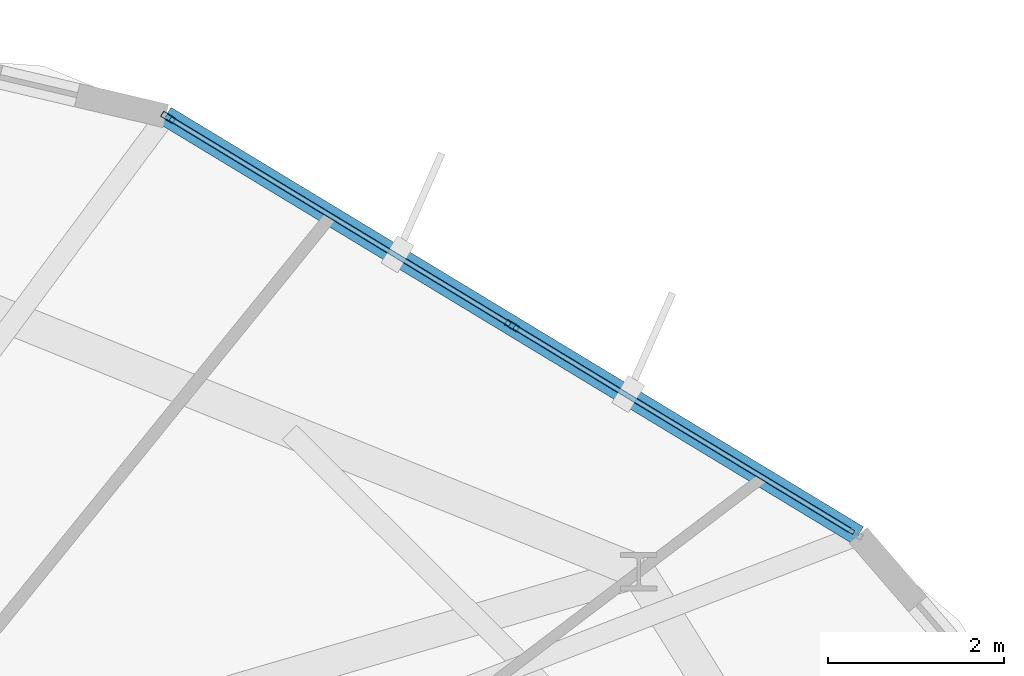
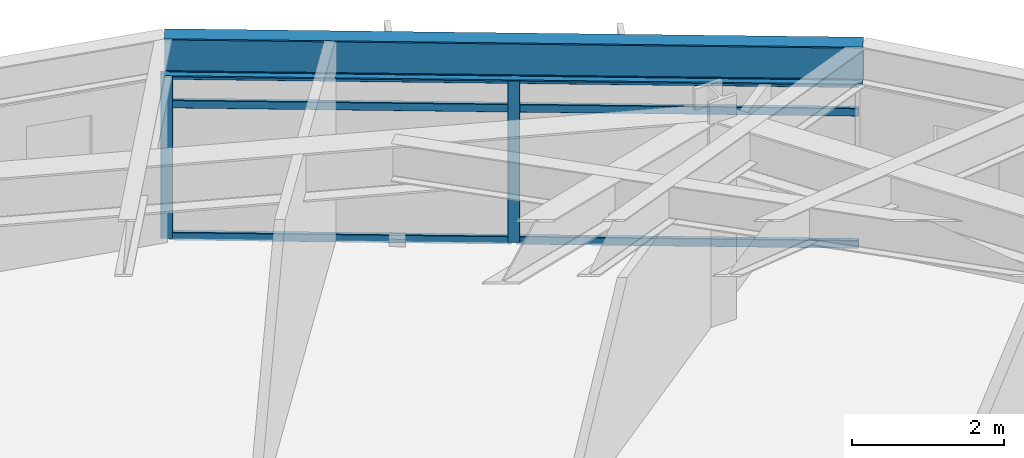
# One storey, part 18 of 27: 8 members, 1 beam, 1 element without a shape of its own.
"""IFC4 building model written with IfcOpenShell, lengths in metres."""

from ifc_helpers import new_model, si_unit, direction, frame, origin, origin_2d, place, context, subcontext, project, spatial, hollow_rectangle, i_section, extrude, material, layer, layer_set, material_profile, profile_set, type_object, element, aggregate, save


model = new_model("IFC4")

# Units and contexts
model_context = context("Model", 3, precision=1e-05, world=origin(), true_north=direction((0.0, 1.0)))
body_context = subcontext(model_context, "Body", "Model", "MODEL_VIEW")
ifc_project = project(units=[si_unit("LENGTHUNIT", "METRE"), si_unit("AREAUNIT", "SQUARE_METRE"), si_unit("VOLUMEUNIT", "CUBIC_METRE"), si_unit("PLANEANGLEUNIT", "RADIAN"), si_unit("MASSUNIT", "GRAM", prefix="KILO")], contexts=[model_context])

# Site, building, storey
site_placement = place(None, origin())
site = spatial("IfcSite", under=ifc_project, at=site_placement, CompositionType="ELEMENT")
building_placement = place(site_placement, origin())
building = spatial("IfcBuilding", under=site, at=building_placement, Name="Soratama Intermodal Tower", CompositionType="ELEMENT")
storey_placement = place(building_placement, frame((0.0, 0.0, 182.199951171875)))
storey = spatial("IfcBuildingStorey", under=building, at=storey_placement, Name="L45", CompositionType="ELEMENT", Elevation=182.199951171875)

# Beam
ifc_material_1 = material(Name="Structural steel ASTM A992 Grade 50", Category="steel")
ifc_material_profile_1 = material_profile(ifc_material_1, i_section(OverallWidth=0.22900390625, OverallDepth=0.612060546875, WebThickness=0.011962890625, FlangeThickness=0.01953125, FilletRadius=0.012939453125, at=origin_2d()), Name="W24X84")
ifc_profile_set_1 = profile_set([ifc_material_profile_1], Name="Structural steel ASTM A992 Grade 50")
beam_type = type_object("IfcBeamType", Name="BM-SPN-W24X84", PredefinedType="SPANDREL", material=ifc_profile_set_1)
beam_placement = place(storey_placement, frame((58.739990234375, 38.820068359375, 2.9541015625), z_axis=(-0.855340204558, 0.518066727812, 0.0), x_axis=(-0.518066727812, -0.855340204558, 0.0)))
element("IfcBeam", 1, at=beam_placement, inside=storey, type_object=beam_type, Name="BS-L45-F01", PredefinedType="SPANDREL", context=body_context, shape_type="SweptSolid", body=[
    extrude(i_section(OverallWidth=0.22900390625, OverallDepth=0.612060546875, WebThickness=0.011962890625, FlangeThickness=0.01953125, FilletRadius=0.012939453125, at=origin_2d()), origin(), (0.0, 0.0, 1.0), 9.18798828125),
])

# Curtain wall, members
ifc_material_2 = material(Name="Double-glazed aluminium curtain wall", Category="aluminium")
ifc_layer = layer(ifc_material_2, 0.159912109375)
ifc_layer_set = layer_set([ifc_layer], Name="Double-glazed aluminium curtain wall")
curtain_wall_type = type_object("IfcCurtainWallType", Name="CW-SYS-4", PredefinedType="NOTDEFINED", material=ifc_layer_set)
curtain_wall_placement = place(storey_placement, origin())
curtain_wall = element("IfcCurtainWall", 2, at=curtain_wall_placement, inside=storey, type_object=curtain_wall_type, Name="L45 Faceted Curtain Wall F01", PredefinedType="NOTDEFINED")
ifc_material_3 = material(Name="Anodised aluminium AA 6063-T6", Category="aluminium")
ifc_material_profile_2 = material_profile(ifc_material_3, hollow_rectangle(XDim=0.070068359375, YDim=0.159912109375, WallThickness=0.0048828125, InnerFilletRadius=0.0048828125, OuterFilletRadius=0.010009765625, at=origin_2d()), Name="CWM160X70X5")
ifc_profile_set_2 = profile_set([ifc_material_profile_2], Name="Anodised aluminium AA 6063-T6")
member_type_1 = type_object("IfcMemberType", Name="MT-CWM-4", PredefinedType="MULLION", material=ifc_profile_set_2)
member_1_placement = place(storey_placement, frame((54.810791015625, 41.19970703125, 0.0), z_axis=(0.0, 0.0, 1.0), x_axis=(-0.51802695324, -0.855364294156, 0.0)))
member_1 = element("IfcMember", 3, at=member_1_placement, type_object=member_type_1, Name="CW-4 mullion 2", PredefinedType="MULLION", context=body_context, shape_type="SweptSolid", body=[
    extrude(hollow_rectangle(XDim=0.070068359375, YDim=0.159912109375, WallThickness=0.0048828125, InnerFilletRadius=0.0048828125, OuterFilletRadius=0.010009765625, at=origin_2d()), origin(), (0.0, 0.0, 1.0), 2.63916015625),
])
member_2_placement = place(storey_placement, frame((50.906982421875, 43.56396484375, 0.0), z_axis=(0.0, 0.0, 1.0), x_axis=(-0.51802695324, -0.855364294156, 0.0)))
member_2 = element("IfcMember", 4, at=member_2_placement, type_object=member_type_1, Name="CW-4 mullion 3", PredefinedType="MULLION", context=body_context, shape_type="SweptSolid", body=[
    extrude(hollow_rectangle(XDim=0.070068359375, YDim=0.159912109375, WallThickness=0.0048828125, InnerFilletRadius=0.0048828125, OuterFilletRadius=0.010009765625, at=origin_2d()), origin(), (0.0, 0.0, 1.0), 2.63916015625),
])
ifc_material_4 = material(Name="Anodised aluminium AA 6063-T6", Category="aluminium")
ifc_material_profile_3 = material_profile(ifc_material_4, hollow_rectangle(XDim=0.06005859375, YDim=0.1298828125, WallThickness=0.0048828125, InnerFilletRadius=0.0048828125, OuterFilletRadius=0.010009765625, at=origin_2d()), Name="CWT130X60X5")
ifc_profile_set_3 = profile_set([ifc_material_profile_3], Name="Anodised aluminium AA 6063-T6")
member_type_2 = type_object("IfcMemberType", Name="TT-CWT-2", PredefinedType="USERDEFINED", material=ifc_profile_set_3)
member_3_placement = place(storey_placement, frame((58.689208984375, 38.85107421875, 0.030029296875), z_axis=(-0.855357239407, 0.518038601838, 0.0), x_axis=(-0.518038601838, -0.855357239407, 0.0)))
member_3 = element("IfcMember", 5, at=member_3_placement, type_object=member_type_2, Name="CW-4 transom 1.1", ObjectType="TRANSOM", PredefinedType="USERDEFINED", context=body_context, shape_type="SweptSolid", body=[
    extrude(hollow_rectangle(XDim=0.06005859375, YDim=0.1298828125, WallThickness=0.0048828125, InnerFilletRadius=0.0048828125, OuterFilletRadius=0.010009765625, at=origin_2d()), origin(), (0.0, 0.0, 1.0), 4.50390625),
])
member_4_placement = place(storey_placement, frame((58.689208984375, 38.85107421875, 2.150146484375), z_axis=(-0.855357239407, 0.518038601838, 0.0), x_axis=(-0.518038601838, -0.855357239407, 0.0)))
member_4 = element("IfcMember", 6, at=member_4_placement, type_object=member_type_2, Name="CW-4 transom 1.2", ObjectType="TRANSOM", PredefinedType="USERDEFINED", context=body_context, shape_type="SweptSolid", body=[
    extrude(hollow_rectangle(XDim=0.06005859375, YDim=0.1298828125, WallThickness=0.0048828125, InnerFilletRadius=0.0048828125, OuterFilletRadius=0.010009765625, at=origin_2d()), origin(), (0.0, 0.0, 1.0), 4.50390625),
])
member_5_placement = place(storey_placement, frame((58.689208984375, 38.85107421875, 2.609130859375), z_axis=(-0.855357239407, 0.518038601838, 0.0), x_axis=(-0.518038601838, -0.855357239407, 0.0)))
member_5 = element("IfcMember", 7, at=member_5_placement, type_object=member_type_2, Name="CW-4 transom 1.3", ObjectType="TRANSOM", PredefinedType="USERDEFINED", context=body_context, shape_type="SweptSolid", body=[
    extrude(hollow_rectangle(XDim=0.06005859375, YDim=0.1298828125, WallThickness=0.0048828125, InnerFilletRadius=0.0048828125, OuterFilletRadius=0.010009765625, at=origin_2d()), origin(), (0.0, 0.0, 1.0), 4.50390625),
])
member_6_placement = place(storey_placement, frame((54.78515625, 41.21533203125, 0.030029296875), z_axis=(-0.855357239407, 0.518038601838, 0.0), x_axis=(-0.518038601838, -0.855357239407, 0.0)))
member_6 = element("IfcMember", 8, at=member_6_placement, type_object=member_type_2, Name="CW-4 transom 2.1", ObjectType="TRANSOM", PredefinedType="USERDEFINED", context=body_context, shape_type="SweptSolid", body=[
    extrude(hollow_rectangle(XDim=0.06005859375, YDim=0.1298828125, WallThickness=0.0048828125, InnerFilletRadius=0.0048828125, OuterFilletRadius=0.010009765625, at=origin_2d()), origin(), (0.0, 0.0, 1.0), 4.50390625),
])
member_7_placement = place(storey_placement, frame((54.78515625, 41.21533203125, 2.150146484375), z_axis=(-0.855357239407, 0.518038601838, 0.0), x_axis=(-0.518038601838, -0.855357239407, 0.0)))
member_7 = element("IfcMember", 9, at=member_7_placement, type_object=member_type_2, Name="CW-4 transom 2.2", ObjectType="TRANSOM", PredefinedType="USERDEFINED", context=body_context, shape_type="SweptSolid", body=[
    extrude(hollow_rectangle(XDim=0.06005859375, YDim=0.1298828125, WallThickness=0.0048828125, InnerFilletRadius=0.0048828125, OuterFilletRadius=0.010009765625, at=origin_2d()), origin(), (0.0, 0.0, 1.0), 4.50390625),
])
member_8_placement = place(storey_placement, frame((54.78515625, 41.21533203125, 2.609130859375), z_axis=(-0.855357239407, 0.518038601838, 0.0), x_axis=(-0.518038601838, -0.855357239407, 0.0)))
member_8 = element("IfcMember", 10, at=member_8_placement, type_object=member_type_2, Name="CW-4 transom 2.3", ObjectType="TRANSOM", PredefinedType="USERDEFINED", context=body_context, shape_type="SweptSolid", body=[
    extrude(hollow_rectangle(XDim=0.06005859375, YDim=0.1298828125, WallThickness=0.0048828125, InnerFilletRadius=0.0048828125, OuterFilletRadius=0.010009765625, at=origin_2d()), origin(), (0.0, 0.0, 1.0), 4.50390625),
])
aggregate(curtain_wall, [member_1, member_2, member_3, member_4, member_5, member_6, member_7, member_8])

save(model, "model.ifc")
